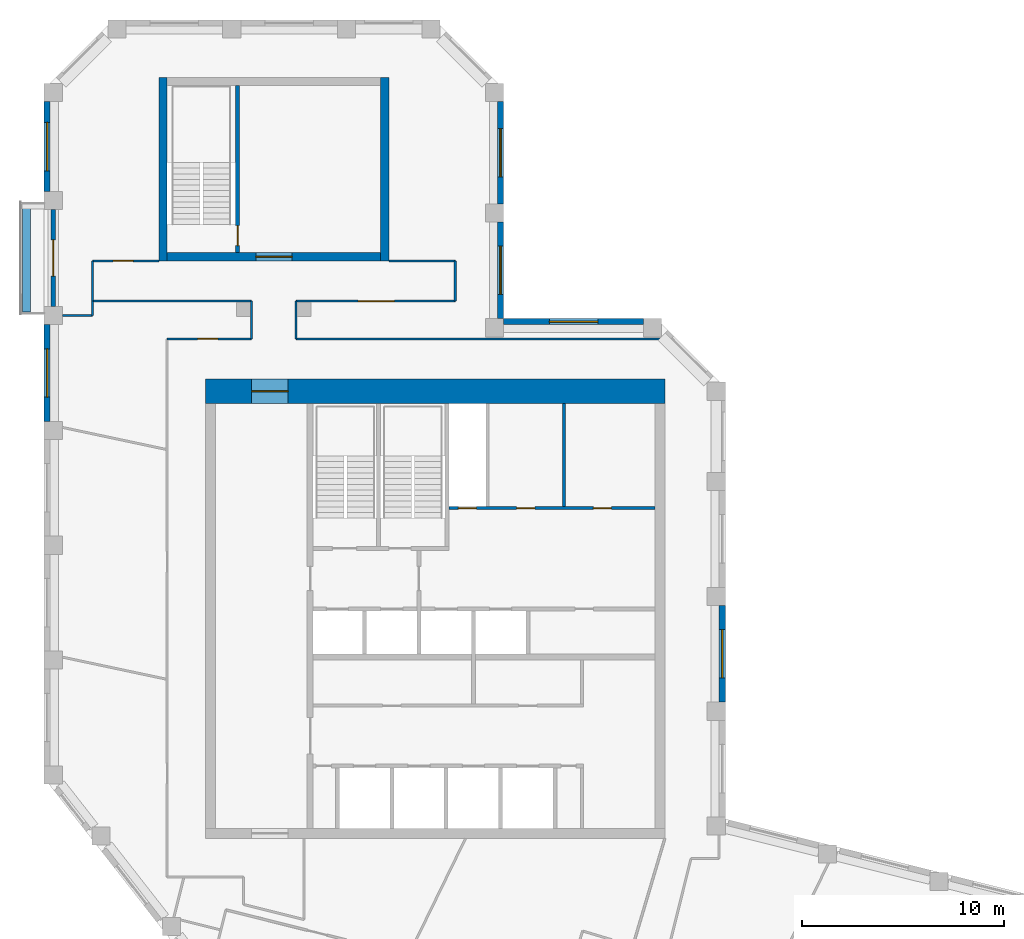
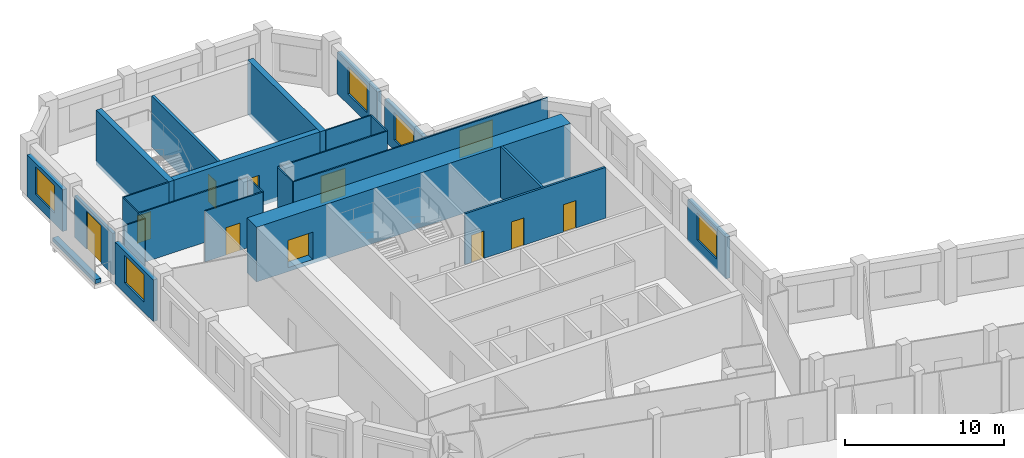
# One storey, part 6 of 8: 27 walls, 10 doors, 6 windows, 16 openings.
"""IFC4 building model written with IfcOpenShell, lengths in metres."""

from ifc_helpers import new_model, si_unit, direction, frame, frame_2d, origin, place, context, subcontext, project, spatial, rectangle, extrude, material, layer, layer_set, type_object, element, fill, save


model = new_model("IFC4")

# Units and contexts
model_context = context("Model", 3, precision=1e-05, world=origin(), true_north=direction((0.0, 1.0)))
body_context = subcontext(model_context, "Body", "Model", "MODEL_VIEW")
ifc_project = project(units=[si_unit("LENGTHUNIT", "METRE"), si_unit("AREAUNIT", "SQUARE_METRE"), si_unit("VOLUMEUNIT", "CUBIC_METRE"), si_unit("PLANEANGLEUNIT", "RADIAN"), si_unit("MASSUNIT", "GRAM", prefix="KILO")], contexts=[model_context])

# Site, building, storey
site_placement = place(None, origin())
site = spatial("IfcSite", under=ifc_project, at=site_placement, CompositionType="ELEMENT")
building_placement = place(site_placement, origin())
building = spatial("IfcBuilding", under=site, at=building_placement, Name="Meshkara Civic Tower", CompositionType="ELEMENT")
storey_placement = place(building_placement, frame((0.0, 0.0, 375.0)))
storey = spatial("IfcBuildingStorey", under=building, at=storey_placement, Name="L86", CompositionType="ELEMENT", Elevation=375.0)

# Wall, openings, doors
ifc_material_1 = material(Name="Blockwork", Category="masonry")
ifc_layer_1 = layer(ifc_material_1, 0.14990234375)
ifc_layer_set_1 = layer_set([ifc_layer_1], Name="Core partition 150")
wall_type_1 = type_object("IfcWallType", Name="Core partition 150", PredefinedType="PARTITIONING", material=ifc_layer_set_1)
wall_1_placement = place(storey_placement, frame((20.10009765625, 30.5, 0.0), z_axis=(0.0, 0.0, 1.0), x_axis=(1.0, 0.0, 0.0)))
wall_1 = element("IfcWall", 1, at=wall_1_placement, inside=storey, type_object=wall_type_1, Name="L86-C010", PredefinedType="PARTITIONING", context=body_context, shape_type="SweptSolid", body=[
    extrude(rectangle(XDim=10.199951171875, YDim=0.14990234375, at=frame_2d((5.10009765625, 0.0))), origin(), (0.0, 0.0, 1.0), 3.89990234375),
])
opening_1_placement = place(wall_1_placement, frame((0.449951171875, 0.0, 0.0)))
opening_1 = element("IfcOpeningElement", 2, at=opening_1_placement, cuts=wall_1, Name="Opening L86-K014", PredefinedType="OPENING", context=body_context, shape_type="SweptSolid", body=[
    extrude(rectangle(XDim=0.89990234375, YDim=2.10009765625, at=frame_2d((0.449951171875, 1.050048828125))), frame((0.0, 0.0849609375, 0.0), z_axis=(0.0, -1.0, 0.0), x_axis=(1.0, 0.0, 0.0)), (0.0, 0.0, 1.0), 0.169921875),
])
opening_2_placement = place(wall_1_placement, frame((3.35009765625, 0.0, 0.0)))
opening_2 = element("IfcOpeningElement", 3, at=opening_2_placement, cuts=wall_1, Name="Opening L86-K015", PredefinedType="OPENING", context=body_context, shape_type="SweptSolid", body=[
    extrude(rectangle(XDim=0.89990234375, YDim=2.10009765625, at=frame_2d((0.449951171875, 1.050048828125))), frame((0.0, 0.0849609375, 0.0), z_axis=(0.0, -1.0, 0.0), x_axis=(1.0, 0.0, 0.0)), (0.0, 0.0, 1.0), 0.169921875),
])
opening_3_placement = place(wall_1_placement, frame((7.14990234375, 0.0, 0.0)))
opening_3 = element("IfcOpeningElement", 4, at=opening_3_placement, cuts=wall_1, Name="Opening L86-K016", PredefinedType="OPENING", context=body_context, shape_type="SweptSolid", body=[
    extrude(rectangle(XDim=0.89990234375, YDim=2.10009765625, at=frame_2d((0.449951171875, 1.050048828125))), frame((0.0, 0.0849609375, 0.0), z_axis=(0.0, -1.0, 0.0), x_axis=(1.0, 0.0, 0.0)), (0.0, 0.0, 1.0), 0.169921875),
])
ifc_material_2 = material(Name="Timber door leaf in steel frame", Category="steel")
door_type_1 = type_object("IfcDoorType", Name="Core room door 900", OperationType="SINGLE_SWING_LEFT", PredefinedType="DOOR", material=ifc_material_2)
door_1_placement = place(opening_2_placement, origin())
door_1 = element("IfcDoor", 5, at=door_1_placement, inside=storey, type_object=door_type_1, Name="L86-K015", OperationType="SINGLE_SWING_RIGHT", OverallHeight=2.10009765625, OverallWidth=0.89990234375, PredefinedType="DOOR", context=body_context, shape_type="SweptSolid", body=[
    extrude(rectangle(XDim=0.89990234375, YDim=2.10009765625, at=frame_2d((0.449951171875, 1.050048828125))), frame((0.0, 0.02490234375, 0.0), z_axis=(0.0, -1.0, 0.0), x_axis=(1.0, 0.0, 0.0)), (0.0, 0.0, 1.0), 0.050048828125),
])
fill(opening_2, door_1)
ifc_material_3 = material(Name="Fire-rated door leaf in steel frame", Category="steel")
door_type_2 = type_object("IfcDoorType", Name="Riser door 900", OperationType="SINGLE_SWING_LEFT", PredefinedType="DOOR", material=ifc_material_3)
door_2_placement = place(opening_1_placement, origin())
door_2 = element("IfcDoor", 6, at=door_2_placement, inside=storey, type_object=door_type_2, Name="L86-K014", OperationType="SINGLE_SWING_RIGHT", OverallHeight=2.10009765625, OverallWidth=0.89990234375, PredefinedType="DOOR", context=body_context, shape_type="SweptSolid", body=[
    extrude(rectangle(XDim=0.89990234375, YDim=2.10009765625, at=frame_2d((0.449951171875, 1.050048828125))), frame((0.0, 0.02490234375, 0.0), z_axis=(0.0, -1.0, 0.0), x_axis=(1.0, 0.0, 0.0)), (0.0, 0.0, 1.0), 0.050048828125),
])
fill(opening_1, door_2)
ifc_material_4 = material(Name="Timber door leaf in steel frame", Category="steel")
door_type_3 = type_object("IfcDoorType", Name="WC door 900", OperationType="SINGLE_SWING_LEFT", PredefinedType="DOOR", material=ifc_material_4)
door_3_placement = place(opening_3_placement, origin())
door_3 = element("IfcDoor", 7, at=door_3_placement, inside=storey, type_object=door_type_3, Name="L86-K016", OperationType="SINGLE_SWING_LEFT", OverallHeight=2.10009765625, OverallWidth=0.89990234375, PredefinedType="DOOR", context=body_context, shape_type="SweptSolid", body=[
    extrude(rectangle(XDim=0.89990234375, YDim=2.10009765625, at=frame_2d((0.449951171875, 1.050048828125))), frame((0.0, 0.02490234375, 0.0), z_axis=(0.0, -1.0, 0.0), x_axis=(1.0, 0.0, 0.0)), (0.0, 0.0, 1.0), 0.050048828125),
])
fill(opening_3, door_3)

# Wall
wall_2_placement = place(storey_placement, frame((25.800048828125, 30.574951171875, 0.0), z_axis=(0.0, 0.0, 1.0), x_axis=(0.0, 1.0, 0.0)))
element("IfcWall", 8, at=wall_2_placement, inside=storey, type_object=wall_type_1, Name="L86-C024", PredefinedType="PARTITIONING", context=body_context, shape_type="SweptSolid", body=[
    extrude(rectangle(XDim=5.125, YDim=0.14990234375, at=frame_2d((2.5625, 0.0))), origin(), (0.0, 0.0, 1.0), 3.89990234375),
])

# Wall, opening, door
ifc_material_5 = material(Name="Concrete C50", Category="concrete")
ifc_layer_2 = layer(ifc_material_5, 1.199951171875)
ifc_layer_set_2 = layer_set([ifc_layer_2], Name="Core ring wall 1200 C50")
wall_type_2 = type_object("IfcWallType", Name="Core ring wall 1200 C50", PredefinedType="SHEAR", material=ifc_layer_set_2)
wall_3_placement = place(storey_placement, frame((8.0, 36.300048828125, -0.300048828125), z_axis=(0.0, 0.0, 1.0), x_axis=(1.0, 0.0, 0.0)))
wall_3 = element("IfcWall", 9, at=wall_3_placement, inside=storey, type_object=wall_type_2, Name="L86-C002", PredefinedType="SHEAR", context=body_context, shape_type="SweptSolid", body=[
    extrude(rectangle(XDim=22.800048828125, YDim=1.199951171875, at=frame_2d((11.39990234375, 0.0))), origin(), (0.0, 0.0, 1.0), 4.199951171875),
])
opening_4_placement = place(wall_3_placement, frame((2.300048828125, 0.0, 0.300048828125)))
opening_4 = element("IfcOpeningElement", 10, at=opening_4_placement, cuts=wall_3, Name="Opening L86-K022", PredefinedType="OPENING", context=body_context, shape_type="SweptSolid", body=[
    extrude(rectangle(XDim=1.800048828125, YDim=2.10009765625, at=frame_2d((0.89990234375, 1.050048828125))), frame((0.0, 0.60986328125, 0.0), z_axis=(0.0, -1.0, 0.0), x_axis=(1.0, 0.0, 0.0)), (0.0, 0.0, 1.0), 1.219970703125),
])
ifc_material_6 = material(Name="Fire-rated door leaf in steel frame", Category="steel")
door_type_4 = type_object("IfcDoorType", Name="Core double door 1800 EI 60", OperationType="DOUBLE_DOOR_SINGLE_SWING", PredefinedType="DOOR", material=ifc_material_6)
door_4_placement = place(opening_4_placement, origin())
door_4 = element("IfcDoor", 11, at=door_4_placement, inside=storey, type_object=door_type_4, Name="L86-K022", OperationType="DOUBLE_DOOR_SINGLE_SWING", OverallHeight=2.10009765625, OverallWidth=1.800048828125, PredefinedType="DOOR", context=body_context, shape_type="SweptSolid", body=[
    extrude(rectangle(XDim=1.800048828125, YDim=2.10009765625, at=frame_2d((0.89990234375, 1.050048828125))), frame((0.0, 0.02490234375, 0.0), z_axis=(0.0, -1.0, 0.0), x_axis=(1.0, 0.0, 0.0)), (0.0, 0.0, 1.0), 0.050048828125),
])
fill(opening_4, door_4)

# Walls
ifc_material_7 = material(Name="Corridor wall 100")
ifc_layer_3 = layer(ifc_material_7, 0.10009765625)
ifc_layer_set_3 = layer_set([ifc_layer_3], Name="Corridor wall 100")
wall_type_3 = type_object("IfcWallType", Name="Corridor wall 100", PredefinedType="PARTITIONING", material=ifc_layer_set_3)
wall_4_placement = place(storey_placement, frame((2.39990234375, 40.77001953125, 0.0), z_axis=(0.0, 0.0, 1.0), x_axis=(1.0, 0.0, 0.0)))
element("IfcWall", 12, at=wall_4_placement, inside=storey, type_object=wall_type_3, Name="L86-W001", PredefinedType="PARTITIONING", context=body_context, shape_type="SweptSolid", body=[
    extrude(rectangle(XDim=7.900146484375, YDim=0.10009765625, at=frame_2d((3.9501953125, 0.0))), origin(), (0.0, 0.0, 1.0), 3.89990234375),
])
wall_5_placement = place(storey_placement, frame((2.39990234375, 42.77001953125, 0.0), z_axis=(0.0, 0.0, 1.0), x_axis=(0.0, -1.0, 0.0)))
element("IfcWall", 13, at=wall_5_placement, inside=storey, type_object=wall_type_3, Name="L86-W002", PredefinedType="PARTITIONING", context=body_context, shape_type="SweptSolid", body=[
    extrude(rectangle(XDim=2.0, YDim=0.10009765625, at=frame_2d((1.0, 0.0))), origin(), (0.0, 0.0, 1.0), 3.89990234375),
])

# Wall, opening, door
wall_6_placement = place(storey_placement, frame((5.699951171875, 42.77001953125, 0.0), z_axis=(0.0, 0.0, 1.0), x_axis=(-1.0, 0.0, 0.0)))
wall_6 = element("IfcWall", 14, at=wall_6_placement, inside=storey, type_object=wall_type_3, Name="L86-W003", PredefinedType="PARTITIONING", context=body_context, shape_type="SweptSolid", body=[
    extrude(rectangle(XDim=3.300048828125, YDim=0.10009765625, at=frame_2d((1.64990234375, 0.0))), origin(), (0.0, 0.0, 1.0), 3.89990234375),
])
opening_5_placement = place(wall_6_placement, frame((1.280029296875, 0.0, 0.0)))
opening_5 = element("IfcOpeningElement", 15, at=opening_5_placement, cuts=wall_6, Name="Opening L86-D016", PredefinedType="OPENING", context=body_context, shape_type="SweptSolid", body=[
    extrude(rectangle(XDim=1.0, YDim=2.10009765625, at=frame_2d((0.5, 1.050048828125))), frame((0.0, 0.06005859375, 0.0), z_axis=(0.0, -1.0, 0.0), x_axis=(1.0, 0.0, 0.0)), (0.0, 0.0, 1.0), 0.1201171875),
])
ifc_material_8 = material(Name="Door 1000 x 2100")
door_type_5 = type_object("IfcDoorType", Name="Door 1000 x 2100", OperationType="SINGLE_SWING_LEFT", PredefinedType="DOOR", material=ifc_material_8)
door_5_placement = place(opening_5_placement, origin())
door_5 = element("IfcDoor", 16, at=door_5_placement, inside=storey, type_object=door_type_5, Name="L86-D016", OperationType="SINGLE_SWING_LEFT", OverallHeight=2.10009765625, OverallWidth=1.0, PredefinedType="DOOR", context=body_context, shape_type="SweptSolid", body=[
    extrude(rectangle(XDim=1.0, YDim=2.10009765625, at=frame_2d((0.5, 1.050048828125))), frame((0.0, 0.02490234375, 0.0), z_axis=(0.0, -1.0, 0.0), x_axis=(1.0, 0.0, 0.0)), (0.0, 0.0, 1.0), 0.050048828125),
])
fill(opening_5, door_5)

wall_7_placement = place(storey_placement, frame((10.300048828125, 38.89990234375, 0.0), z_axis=(0.0, 0.0, 1.0), x_axis=(-1.0, 0.0, 0.0)))
wall_7 = element("IfcWall", 17, at=wall_7_placement, inside=storey, type_object=wall_type_3, Name="L86-W011", PredefinedType="PARTITIONING", context=body_context, shape_type="SweptSolid", body=[
    extrude(rectangle(XDim=4.199951171875, YDim=0.10009765625, at=frame_2d((2.10009765625, 0.0))), origin(), (0.0, 0.0, 1.0), 3.89990234375),
])
opening_6_placement = place(wall_7_placement, frame((1.679931640625, 0.0, 0.0)))
opening_6 = element("IfcOpeningElement", 18, at=opening_6_placement, cuts=wall_7, Name="Opening L86-D014", PredefinedType="OPENING", context=body_context, shape_type="SweptSolid", body=[
    extrude(rectangle(XDim=1.0, YDim=2.10009765625, at=frame_2d((0.5, 1.050048828125))), frame((0.0, 0.06005859375, 0.0), z_axis=(0.0, -1.0, 0.0), x_axis=(1.0, 0.0, 0.0)), (0.0, 0.0, 1.0), 0.1201171875),
])
door_6_placement = place(opening_6_placement, origin())
door_6 = element("IfcDoor", 19, at=door_6_placement, inside=storey, type_object=door_type_5, Name="L86-D014", OperationType="SINGLE_SWING_LEFT", OverallHeight=2.10009765625, OverallWidth=1.0, PredefinedType="DOOR", context=body_context, shape_type="SweptSolid", body=[
    extrude(rectangle(XDim=1.0, YDim=2.10009765625, at=frame_2d((0.5, 1.050048828125))), frame((0.0, 0.02490234375, 0.0), z_axis=(0.0, -1.0, 0.0), x_axis=(1.0, 0.0, 0.0)), (0.0, 0.0, 1.0), 0.050048828125),
])
fill(opening_6, door_6)

# Walls
for number, where, z_axis, x_axis, name in (
    (20, (10.300048828125, 40.77001953125, 0.0), (0.0, 0.0, 1.0), (0.0, -1.0, 0.0), "L86-W012"),
    (21, (12.5, 38.89990234375, 0.0), (0.0, 0.0, 1.0), (0.0, 1.0, 0.0), "L86-W013"),
):
    element("IfcWall", number, at=place(storey_placement, frame(where, z_axis=z_axis, x_axis=x_axis)), inside=storey, type_object=wall_type_3, Name=name, PredefinedType="PARTITIONING", context=body_context, shape_type="SweptSolid", body=[
        extrude(rectangle(XDim=1.8701171875, YDim=0.10009765625, at=frame_2d((0.93505859375, 0.0))), origin(), (0.0, 0.0, 1.0), 3.89990234375),
    ])

# Wall, opening, door
wall_8_placement = place(storey_placement, frame((12.5, 40.77001953125, 0.0), z_axis=(0.0, 0.0, 1.0), x_axis=(1.0, 0.0, 0.0)))
wall_8 = element("IfcWall", 22, at=wall_8_placement, inside=storey, type_object=wall_type_3, Name="L86-W014", PredefinedType="PARTITIONING", context=body_context, shape_type="SweptSolid", body=[
    extrude(rectangle(XDim=7.89990234375, YDim=0.10009765625, at=frame_2d((3.949951171875, 0.0))), origin(), (0.0, 0.0, 1.0), 3.89990234375),
])
opening_7_placement = place(wall_8_placement, frame((3.080078125, 0.0, 0.0)))
opening_7 = element("IfcOpeningElement", 23, at=opening_7_placement, cuts=wall_8, Name="Opening L86-D015", PredefinedType="OPENING", context=body_context, shape_type="SweptSolid", body=[
    extrude(rectangle(XDim=1.800048828125, YDim=2.10009765625, at=frame_2d((0.89990234375, 1.050048828125))), frame((0.0, 0.06005859375, 0.0), z_axis=(0.0, -1.0, 0.0), x_axis=(1.0, 0.0, 0.0)), (0.0, 0.0, 1.0), 0.1201171875),
])
ifc_material_9 = material(Name="Door pair 1800 x 2100")
door_type_6 = type_object("IfcDoorType", Name="Door pair 1800 x 2100", OperationType="SINGLE_SWING_LEFT", PredefinedType="DOOR", material=ifc_material_9)
door_7_placement = place(opening_7_placement, origin())
door_7 = element("IfcDoor", 24, at=door_7_placement, inside=storey, type_object=door_type_6, Name="L86-D015", OperationType="DOUBLE_DOOR_SINGLE_SWING", OverallHeight=2.10009765625, OverallWidth=1.800048828125, PredefinedType="DOOR", context=body_context, shape_type="SweptSolid", body=[
    extrude(rectangle(XDim=1.800048828125, YDim=2.10009765625, at=frame_2d((0.89990234375, 1.050048828125))), frame((0.0, 0.02490234375, 0.0), z_axis=(0.0, -1.0, 0.0), x_axis=(1.0, 0.0, 0.0)), (0.0, 0.0, 1.0), 0.050048828125),
])
fill(opening_7, door_7)

# Walls
wall_9_placement = place(storey_placement, frame((20.39990234375, 40.77001953125, 0.0), z_axis=(0.0, 0.0, 1.0), x_axis=(0.0, 1.0, 0.0)))
element("IfcWall", 25, at=wall_9_placement, inside=storey, type_object=wall_type_3, Name="L86-W017", PredefinedType="PARTITIONING", context=body_context, shape_type="SweptSolid", body=[
    extrude(rectangle(XDim=2.0, YDim=0.10009765625, at=frame_2d((1.0, 0.0))), origin(), (0.0, 0.0, 1.0), 3.89990234375),
])
wall_10_placement = place(storey_placement, frame((20.39990234375, 42.77001953125, 0.0), z_axis=(0.0, 0.0, 1.0), x_axis=(-1.0, 0.0, 0.0)))
element("IfcWall", 26, at=wall_10_placement, inside=storey, type_object=wall_type_3, Name="L86-W018", PredefinedType="PARTITIONING", context=body_context, shape_type="SweptSolid", body=[
    extrude(rectangle(XDim=3.2998046875, YDim=0.10009765625, at=frame_2d((1.64990234375, 0.0))), origin(), (0.0, 0.0, 1.0), 3.89990234375),
])
wall_11_placement = place(storey_placement, frame((30.9560546875, 38.89990234375, 0.0), z_axis=(0.0, 0.0, 1.0), x_axis=(-1.0, 0.0, 0.0)))
element("IfcWall", 27, at=wall_11_placement, inside=storey, type_object=wall_type_3, Name="L86-W023", PredefinedType="PARTITIONING", context=body_context, shape_type="SweptSolid", body=[
    extrude(rectangle(XDim=18.4560546875, YDim=0.10009765625, at=frame_2d((9.22802734375, 0.0))), origin(), (0.0, 0.0, 1.0), 3.89990234375),
])

# Wall, opening, window
ifc_material_10 = material(Name="Insulated infill panel with bronze anodised aluminium cladding", Category="aluminium")
ifc_layer_4 = layer(ifc_material_10, 0.300048828125)
ifc_layer_set_4 = layer_set([ifc_layer_4], Name="EXTERNAL INFILL WALL 300")
wall_type_4 = type_object("IfcWallType", Name="EXTERNAL INFILL WALL 300", PredefinedType="SOLIDWALL", material=ifc_layer_set_4)
wall_12_placement = place(storey_placement, frame((33.64990234375, 20.868896484375, 0.0), z_axis=(0.0, 0.0, 1.0), x_axis=(0.0, 1.0, 0.0)))
wall_12 = element("IfcWall", 28, at=wall_12_placement, inside=storey, type_object=wall_type_4, Name="External wall", PredefinedType="SOLIDWALL", context=body_context, shape_type="SweptSolid", body=[
    extrude(rectangle(XDim=4.800048828125, YDim=0.300048828125, at=frame_2d((2.39990234375, 0.0))), origin(), (0.0, 0.0, 1.0), 3.199951171875),
])
opening_8_placement = place(wall_12_placement, frame((1.199951171875, 0.0, 0.800048828125)))
opening_8 = element("IfcOpeningElement", 29, at=opening_8_placement, cuts=wall_12, Name="Opening W7", PredefinedType="OPENING", context=body_context, shape_type="SweptSolid", body=[
    extrude(rectangle(XDim=2.39990234375, YDim=2.10009765625, at=frame_2d((1.199951171875, 1.050048828125))), frame((0.0, 0.159912109375, 0.0), z_axis=(0.0, -1.0, 0.0), x_axis=(1.0, 0.0, 0.0)), (0.0, 0.0, 1.0), 0.320068359375),
])
ifc_material_11 = material(Name="Tinted double glazing", Category="glass")
window_type = type_object("IfcWindowType", Name="WINDOW 2400x2100", PartitioningType="DOUBLE_PANEL_VERTICAL", PredefinedType="WINDOW", material=ifc_material_11)
window_1_placement = place(opening_8_placement, origin())
window_1 = element("IfcWindow", 30, at=window_1_placement, inside=storey, type_object=window_type, Name="Window", OverallHeight=2.10009765625, OverallWidth=2.39990234375, PartitioningType="DOUBLE_PANEL_VERTICAL", PredefinedType="WINDOW", context=body_context, shape_type="SweptSolid", body=[
    extrude(rectangle(XDim=2.39990234375, YDim=2.10009765625, at=frame_2d((1.199951171875, 1.050048828125))), frame((0.0, 0.030029296875, 0.0), z_axis=(0.0, -1.0, 0.0), x_axis=(1.0, 0.0, 0.0)), (0.0, 0.0, 1.0), 0.06005859375),
])
fill(opening_8, window_1)

wall_13_placement = place(storey_placement, frame((29.743896484375, 39.75, 0.0), z_axis=(0.0, 0.0, 1.0), x_axis=(-1.0, 0.0, 0.0)))
wall_13 = element("IfcWall", 31, at=wall_13_placement, inside=storey, type_object=wall_type_4, Name="External wall", PredefinedType="SOLIDWALL", context=body_context, shape_type="SweptSolid", body=[
    extrude(rectangle(XDim=6.94384765625, YDim=0.300048828125, at=frame_2d((3.471923828125, 0.0))), origin(), (0.0, 0.0, 1.0), 3.199951171875),
])
opening_9_placement = place(wall_13_placement, frame((2.27197265625, 0.0, 0.800048828125)))
opening_9 = element("IfcOpeningElement", 32, at=opening_9_placement, cuts=wall_13, Name="Opening W7", PredefinedType="OPENING", context=body_context, shape_type="SweptSolid", body=[
    extrude(rectangle(XDim=2.39990234375, YDim=2.10009765625, at=frame_2d((1.199951171875, 1.050048828125))), frame((0.0, 0.159912109375, 0.0), z_axis=(0.0, -1.0, 0.0), x_axis=(1.0, 0.0, 0.0)), (0.0, 0.0, 1.0), 0.320068359375),
])
window_2_placement = place(opening_9_placement, origin())
window_2 = element("IfcWindow", 33, at=window_2_placement, inside=storey, type_object=window_type, Name="Window", OverallHeight=2.10009765625, OverallWidth=2.39990234375, PartitioningType="DOUBLE_PANEL_VERTICAL", PredefinedType="WINDOW", context=body_context, shape_type="SweptSolid", body=[
    extrude(rectangle(XDim=2.39990234375, YDim=2.10009765625, at=frame_2d((1.199951171875, 1.050048828125))), frame((0.0, 0.030029296875, 0.0), z_axis=(0.0, -1.0, 0.0), x_axis=(1.0, 0.0, 0.0)), (0.0, 0.0, 1.0), 0.06005859375),
])
fill(opening_9, window_2)

wall_14_placement = place(storey_placement, frame((22.64990234375, 39.89990234375, 0.0), z_axis=(0.0, 0.0, 1.0), x_axis=(0.0, 1.0, 0.0)))
wall_14 = element("IfcWall", 34, at=wall_14_placement, inside=storey, type_object=wall_type_4, Name="External wall", PredefinedType="SOLIDWALL", context=body_context, shape_type="SweptSolid", body=[
    extrude(rectangle(XDim=4.800048828125, YDim=0.300048828125, at=frame_2d((2.39990234375, 0.0))), origin(), (0.0, 0.0, 1.0), 3.199951171875),
])
opening_10_placement = place(wall_14_placement, frame((1.199951171875, 0.0, 0.800048828125)))
opening_10 = element("IfcOpeningElement", 35, at=opening_10_placement, cuts=wall_14, Name="Opening W7", PredefinedType="OPENING", context=body_context, shape_type="SweptSolid", body=[
    extrude(rectangle(XDim=2.39990234375, YDim=2.10009765625, at=frame_2d((1.199951171875, 1.050048828125))), frame((0.0, 0.159912109375, 0.0), z_axis=(0.0, -1.0, 0.0), x_axis=(1.0, 0.0, 0.0)), (0.0, 0.0, 1.0), 0.320068359375),
])
window_3_placement = place(opening_10_placement, origin())
window_3 = element("IfcWindow", 36, at=window_3_placement, inside=storey, type_object=window_type, Name="Window", OverallHeight=2.10009765625, OverallWidth=2.39990234375, PartitioningType="DOUBLE_PANEL_VERTICAL", PredefinedType="WINDOW", context=body_context, shape_type="SweptSolid", body=[
    extrude(rectangle(XDim=2.39990234375, YDim=2.10009765625, at=frame_2d((1.199951171875, 1.050048828125))), frame((0.0, 0.030029296875, 0.0), z_axis=(0.0, -1.0, 0.0), x_axis=(1.0, 0.0, 0.0)), (0.0, 0.0, 1.0), 0.06005859375),
])
fill(opening_10, window_3)

wall_15_placement = place(storey_placement, frame((22.64990234375, 45.60009765625, 0.0), z_axis=(0.0, 0.0, 1.0), x_axis=(0.0, 1.0, 0.0)))
wall_15 = element("IfcWall", 37, at=wall_15_placement, inside=storey, type_object=wall_type_4, Name="External wall", PredefinedType="SOLIDWALL", context=body_context, shape_type="SweptSolid", body=[
    extrude(rectangle(XDim=5.06396484375, YDim=0.300048828125, at=frame_2d((2.531982421875, 0.0))), origin(), (0.0, 0.0, 1.0), 3.199951171875),
])
opening_11_placement = place(wall_15_placement, frame((1.33203125, 0.0, 0.800048828125)))
opening_11 = element("IfcOpeningElement", 38, at=opening_11_placement, cuts=wall_15, Name="Opening W7", PredefinedType="OPENING", context=body_context, shape_type="SweptSolid", body=[
    extrude(rectangle(XDim=2.39990234375, YDim=2.10009765625, at=frame_2d((1.199951171875, 1.050048828125))), frame((0.0, 0.159912109375, 0.0), z_axis=(0.0, -1.0, 0.0), x_axis=(1.0, 0.0, 0.0)), (0.0, 0.0, 1.0), 0.320068359375),
])
window_4_placement = place(opening_11_placement, origin())
window_4 = element("IfcWindow", 39, at=window_4_placement, inside=storey, type_object=window_type, Name="Window", OverallHeight=2.10009765625, OverallWidth=2.39990234375, PartitioningType="DOUBLE_PANEL_VERTICAL", PredefinedType="WINDOW", context=body_context, shape_type="SweptSolid", body=[
    extrude(rectangle(XDim=2.39990234375, YDim=2.10009765625, at=frame_2d((1.199951171875, 1.050048828125))), frame((0.0, 0.030029296875, 0.0), z_axis=(0.0, -1.0, 0.0), x_axis=(1.0, 0.0, 0.0)), (0.0, 0.0, 1.0), 0.06005859375),
])
fill(opening_11, window_4)

wall_16_placement = place(storey_placement, frame((0.14990234375, 50.6640625, 0.0), z_axis=(0.0, 0.0, 1.0), x_axis=(0.0, -1.0, 0.0)))
wall_16 = element("IfcWall", 40, at=wall_16_placement, inside=storey, type_object=wall_type_4, Name="External wall", PredefinedType="SOLIDWALL", context=body_context, shape_type="SweptSolid", body=[
    extrude(rectangle(XDim=4.458984375, YDim=0.300048828125, at=frame_2d((2.2294921875, 0.0))), origin(), (0.0, 0.0, 1.0), 3.199951171875),
])
opening_12_placement = place(wall_16_placement, frame((1.029052734375, 0.0, 0.800048828125)))
opening_12 = element("IfcOpeningElement", 41, at=opening_12_placement, cuts=wall_16, Name="Opening W7", PredefinedType="OPENING", context=body_context, shape_type="SweptSolid", body=[
    extrude(rectangle(XDim=2.39990234375, YDim=2.10009765625, at=frame_2d((1.199951171875, 1.050048828125))), frame((0.0, 0.159912109375, 0.0), z_axis=(0.0, -1.0, 0.0), x_axis=(1.0, 0.0, 0.0)), (0.0, 0.0, 1.0), 0.320068359375),
])
window_5_placement = place(opening_12_placement, origin())
window_5 = element("IfcWindow", 42, at=window_5_placement, inside=storey, type_object=window_type, Name="Window", OverallHeight=2.10009765625, OverallWidth=2.39990234375, PartitioningType="DOUBLE_PANEL_VERTICAL", PredefinedType="WINDOW", context=body_context, shape_type="SweptSolid", body=[
    extrude(rectangle(XDim=2.39990234375, YDim=2.10009765625, at=frame_2d((1.199951171875, 1.050048828125))), frame((0.0, 0.030029296875, 0.0), z_axis=(0.0, -1.0, 0.0), x_axis=(1.0, 0.0, 0.0)), (0.0, 0.0, 1.0), 0.06005859375),
])
fill(opening_12, window_5)

wall_17_placement = place(storey_placement, frame((0.14990234375, 39.60498046875, 0.0), z_axis=(0.0, 0.0, 1.0), x_axis=(0.0, -1.0, 0.0)))
wall_17 = element("IfcWall", 43, at=wall_17_placement, inside=storey, type_object=wall_type_4, Name="External wall", PredefinedType="SOLIDWALL", context=body_context, shape_type="SweptSolid", body=[
    extrude(rectangle(XDim=4.800048828125, YDim=0.300048828125, at=frame_2d((2.39990234375, 0.0))), origin(), (0.0, 0.0, 1.0), 3.199951171875),
])
opening_13_placement = place(wall_17_placement, frame((1.199951171875, 0.0, 0.800048828125)))
opening_13 = element("IfcOpeningElement", 44, at=opening_13_placement, cuts=wall_17, Name="Opening W7", PredefinedType="OPENING", context=body_context, shape_type="SweptSolid", body=[
    extrude(rectangle(XDim=2.39990234375, YDim=2.10009765625, at=frame_2d((1.199951171875, 1.050048828125))), frame((0.0, 0.159912109375, 0.0), z_axis=(0.0, -1.0, 0.0), x_axis=(1.0, 0.0, 0.0)), (0.0, 0.0, 1.0), 0.320068359375),
])
window_6_placement = place(opening_13_placement, origin())
window_6 = element("IfcWindow", 45, at=window_6_placement, inside=storey, type_object=window_type, Name="Window", OverallHeight=2.10009765625, OverallWidth=2.39990234375, PartitioningType="DOUBLE_PANEL_VERTICAL", PredefinedType="WINDOW", context=body_context, shape_type="SweptSolid", body=[
    extrude(rectangle(XDim=2.39990234375, YDim=2.10009765625, at=frame_2d((1.199951171875, 1.050048828125))), frame((0.0, 0.030029296875, 0.0), z_axis=(0.0, -1.0, 0.0), x_axis=(1.0, 0.0, 0.0)), (0.0, 0.0, 1.0), 0.06005859375),
])
fill(opening_13, window_6)

# Walls
ifc_material_12 = material(Name="Concrete C50", Category="concrete")
ifc_layer_5 = layer(ifc_material_12, 0.39990234375)
ifc_layer_set_5 = layer_set([ifc_layer_5], Name="End core ring wall 400 C50")
wall_type_5 = type_object("IfcWallType", Name="End core ring wall 400 C50", PredefinedType="SHEAR", material=ifc_layer_set_5)
for number, where, z_axis, x_axis, name in (
    (46, (5.89990234375, 42.77001953125, -0.300048828125), (0.0, 0.0, 1.0), (0.0, 1.0, 0.0), "L86-C027"),
    (47, (16.89990234375, 42.77001953125, -0.300048828125), (0.0, 0.0, 1.0), (0.0, 1.0, 0.0), "L86-C028"),
):
    element("IfcWall", number, at=place(storey_placement, frame(where, z_axis=z_axis, x_axis=x_axis)), inside=storey, type_object=wall_type_5, Name=name, PredefinedType="SHEAR", context=body_context, shape_type="SweptSolid", body=[
        extrude(rectangle(XDim=9.10009765625, YDim=0.39990234375, at=frame_2d((4.550048828125, 0.0))), origin(), (0.0, 0.0, 1.0), 4.199951171875),
    ])

# Wall, opening, door
wall_18_placement = place(storey_placement, frame((6.10009765625, 42.969970703125, -0.300048828125), z_axis=(0.0, 0.0, 1.0), x_axis=(1.0, 0.0, 0.0)))
wall_18 = element("IfcWall", 48, at=wall_18_placement, inside=storey, type_object=wall_type_5, Name="L86-C029", PredefinedType="SHEAR", context=body_context, shape_type="SweptSolid", body=[
    extrude(rectangle(XDim=10.599853515625, YDim=0.39990234375, at=frame_2d((5.2998046875, 0.0))), origin(), (0.0, 0.0, 1.0), 4.199951171875),
])
opening_14_placement = place(wall_18_placement, frame((4.39990234375, 0.0, 0.300048828125)))
opening_14 = element("IfcOpeningElement", 49, at=opening_14_placement, cuts=wall_18, Name="Opening L86-K102", PredefinedType="OPENING", context=body_context, shape_type="SweptSolid", body=[
    extrude(rectangle(XDim=1.800048828125, YDim=2.10009765625, at=frame_2d((0.89990234375, 1.050048828125))), frame((0.0, 0.2099609375, 0.0), z_axis=(0.0, -1.0, 0.0), x_axis=(1.0, 0.0, 0.0)), (0.0, 0.0, 1.0), 0.419921875),
])
door_8_placement = place(opening_14_placement, origin())
door_8 = element("IfcDoor", 50, at=door_8_placement, inside=storey, type_object=door_type_4, Name="L86-K102", OperationType="DOUBLE_DOOR_SINGLE_SWING", OverallHeight=2.10009765625, OverallWidth=1.800048828125, PredefinedType="DOOR", context=body_context, shape_type="SweptSolid", body=[
    extrude(rectangle(XDim=1.800048828125, YDim=2.10009765625, at=frame_2d((0.89990234375, 1.050048828125))), frame((0.0, 0.02490234375, 0.0), z_axis=(0.0, -1.0, 0.0), x_axis=(1.0, 0.0, 0.0)), (0.0, 0.0, 1.0), 0.050048828125),
])
fill(opening_14, door_8)

ifc_material_13 = material(Name="Insulated infill panel with bronze anodised aluminium cladding", Category="aluminium")
ifc_layer_6 = layer(ifc_material_13, 0.199951171875)
ifc_layer_set_6 = layer_set([ifc_layer_6], Name="LOGGIA BACK WALL 200")
wall_type_6 = type_object("IfcWallType", Name="LOGGIA BACK WALL 200", PredefinedType="SOLIDWALL", material=ifc_layer_set_6)
wall_19_placement = place(storey_placement, frame((0.449951171875, 45.304931640625, 0.0), z_axis=(0.0, 0.0, 1.0), x_axis=(0.0, -1.0, 0.0)))
wall_19 = element("IfcWall", 51, at=wall_19_placement, inside=storey, type_object=wall_type_6, Name="Loggia wall", PredefinedType="SOLIDWALL", context=body_context, shape_type="SweptSolid", body=[
    extrude(rectangle(XDim=4.800048828125, YDim=0.199951171875, at=frame_2d((2.39990234375, 0.0))), origin(), (0.0, 0.0, 1.0), 3.199951171875),
])
opening_15_placement = place(wall_19_placement, frame((1.5, 0.0, 0.0)))
opening_15 = element("IfcOpeningElement", 52, at=opening_15_placement, cuts=wall_19, Name="Opening L86-L001", PredefinedType="OPENING", context=body_context, shape_type="SweptSolid", body=[
    extrude(rectangle(XDim=1.800048828125, YDim=2.89990234375, at=frame_2d((0.89990234375, 1.449951171875))), frame((0.0, 0.10986328125, 0.0), z_axis=(0.0, -1.0, 0.0), x_axis=(1.0, 0.0, 0.0)), (0.0, 0.0, 1.0), 0.219970703125),
])
ifc_material_14 = material(Name="Tinted double glazing", Category="glass")
door_type_7 = type_object("IfcDoorType", Name="LOGGIA DOOR 1800x2900", OperationType="DOUBLE_DOOR_SINGLE_SWING", PredefinedType="DOOR", material=ifc_material_14)
door_9_placement = place(opening_15_placement, origin())
door_9 = element("IfcDoor", 53, at=door_9_placement, inside=storey, type_object=door_type_7, Name="L86-L001", OperationType="DOUBLE_DOOR_SINGLE_SWING", OverallHeight=2.89990234375, OverallWidth=1.800048828125, PredefinedType="DOOR", context=body_context, shape_type="SweptSolid", body=[
    extrude(rectangle(XDim=1.800048828125, YDim=2.89990234375, at=frame_2d((0.89990234375, 1.449951171875))), frame((0.0, 0.02490234375, 0.0), z_axis=(0.0, -1.0, 0.0), x_axis=(1.0, 0.0, 0.0)), (0.0, 0.0, 1.0), 0.050048828125),
])
fill(opening_15, door_9)

# Walls
ifc_material_15 = material(Name="Concrete C40", Category="concrete")
ifc_layer_7 = layer(ifc_material_15, 0.39990234375)
ifc_layer_set_7 = layer_set([ifc_layer_7], Name="PLANTER TRAY")
wall_type_7 = type_object("IfcWallType", Name="PLANTER TRAY", PredefinedType="SOLIDWALL", material=ifc_layer_set_7)
wall_20_placement = place(storey_placement, frame((-0.8798828125, 45.5849609375, 0.0), z_axis=(0.0, 0.0, 1.0), x_axis=(0.0, -1.0, 0.0)))
element("IfcWall", 54, at=wall_20_placement, inside=storey, type_object=wall_type_7, Name="Planter", PredefinedType="SOLIDWALL", context=body_context, shape_type="SweptSolid", body=[
    extrude(rectangle(XDim=5.35986328125, YDim=0.39990234375, at=frame_2d((2.679931640625, 0.0))), origin(), (0.0, 0.0, 1.0), 0.300048828125),
])
ifc_material_16 = material(Name="Partition 100")
ifc_layer_8 = layer(ifc_material_16, 0.10009765625)
ifc_layer_set_8 = layer_set([ifc_layer_8], Name="Partition 100")
wall_type_8 = type_object("IfcWallType", Name="Partition 100", PredefinedType="PARTITIONING", material=ifc_layer_set_8)
wall_21_placement = place(storey_placement, frame((2.39990234375, 40.054931640625, 0.0), z_axis=(0.0, 0.0, 1.0), x_axis=(-1.0, 0.0, 0.0)))
element("IfcWall", 55, at=wall_21_placement, inside=storey, type_object=wall_type_8, Name="L86-W038", PredefinedType="PARTITIONING", context=body_context, shape_type="SweptSolid", body=[
    extrude(rectangle(XDim=1.5, YDim=0.10009765625, at=frame_2d((0.75, 0.0))), origin(), (0.0, 0.0, 1.0), 3.89990234375),
])
wall_22_placement = place(storey_placement, frame((2.39990234375, 40.77392578125, 0.0), z_axis=(0.0, 0.0, 1.0), x_axis=(0.0, -1.0, 0.0)))
element("IfcWall", 56, at=wall_22_placement, inside=storey, type_object=wall_type_8, Name="L86-W039", PredefinedType="PARTITIONING", context=body_context, shape_type="SweptSolid", body=[
    extrude(rectangle(XDim=0.718994140625, YDim=0.10009765625, at=frame_2d((0.359375, 0.0))), origin(), (0.0, 0.0, 1.0), 3.89990234375),
])

# Wall, opening, door
ifc_material_17 = material(Name="Concrete C40/50", Category="concrete")
ifc_layer_9 = layer(ifc_material_17, 0.199951171875)
ifc_layer_set_9 = layer_set([ifc_layer_9], Name="Stair enclosure wall 200 C40/50")
wall_type_9 = type_object("IfcWallType", Name="Stair enclosure wall 200 C40/50", PredefinedType="SOLIDWALL", material=ifc_layer_set_9)
wall_23_placement = place(storey_placement, frame((9.60009765625, 43.169921875, 0.0), z_axis=(0.0, 0.0, 1.0), x_axis=(0.0, 1.0, 0.0)))
wall_23 = element("IfcWall", 57, at=wall_23_placement, inside=storey, type_object=wall_type_9, Name="L86-C031", PredefinedType="SOLIDWALL", context=body_context, shape_type="SweptSolid", body=[
    extrude(rectangle(XDim=8.300048828125, YDim=0.199951171875, at=frame_2d((4.14990234375, 0.0))), origin(), (0.0, 0.0, 1.0), 3.89990234375),
])
opening_16_placement = place(wall_23_placement, frame((0.35009765625, 0.0, 0.0)))
opening_16 = element("IfcOpeningElement", 58, at=opening_16_placement, cuts=wall_23, Name="Opening L86-K101", PredefinedType="OPENING", context=body_context, shape_type="SweptSolid", body=[
    extrude(rectangle(XDim=1.0, YDim=2.10009765625, at=frame_2d((0.5, 1.050048828125))), frame((0.0, 0.10986328125, 0.0), z_axis=(0.0, -1.0, 0.0), x_axis=(1.0, 0.0, 0.0)), (0.0, 0.0, 1.0), 0.219970703125),
])
ifc_material_18 = material(Name="Fire-rated door leaf in steel frame", Category="steel")
door_type_8 = type_object("IfcDoorType", Name="Stair door 1000 EI 120", OperationType="SINGLE_SWING_LEFT", PredefinedType="DOOR", material=ifc_material_18)
door_10_placement = place(opening_16_placement, origin())
door_10 = element("IfcDoor", 59, at=door_10_placement, inside=storey, type_object=door_type_8, Name="L86-K101", OperationType="SINGLE_SWING_RIGHT", OverallHeight=2.10009765625, OverallWidth=1.0, PredefinedType="DOOR", context=body_context, shape_type="SweptSolid", body=[
    extrude(rectangle(XDim=1.0, YDim=2.10009765625, at=frame_2d((0.5, 1.050048828125))), frame((0.0, 0.02490234375, 0.0), z_axis=(0.0, -1.0, 0.0), x_axis=(1.0, 0.0, 0.0)), (0.0, 0.0, 1.0), 0.050048828125),
])
fill(opening_16, door_10)

save(model, "model.ifc")
